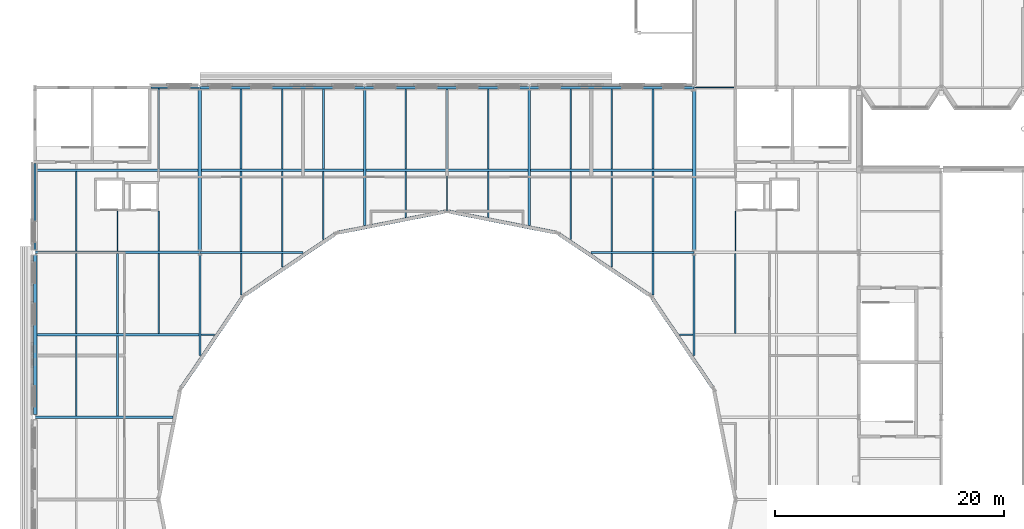
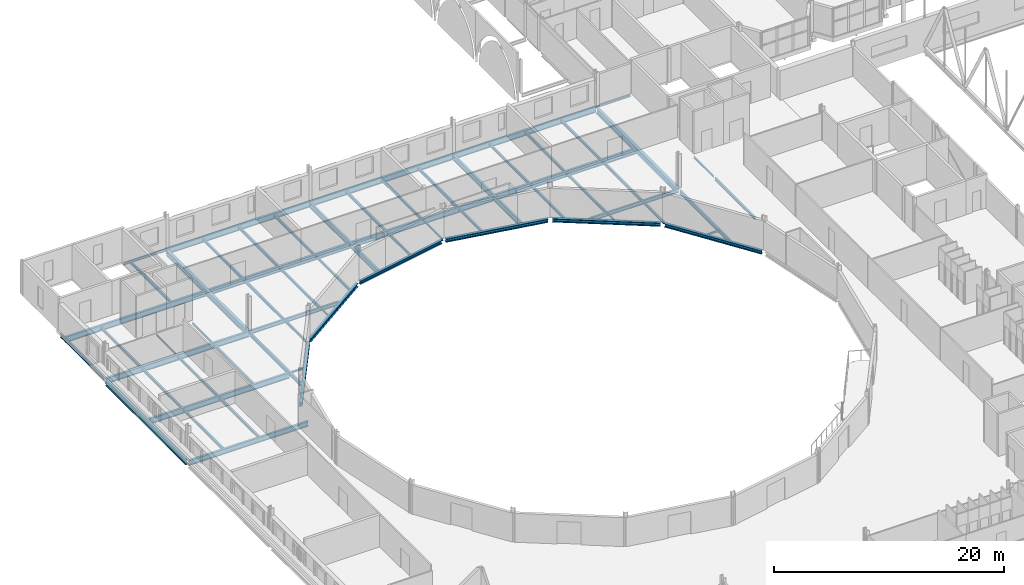
# One storey, part 42 of 142: 63 beams.
"""IFC4 building model written with IfcOpenShell, lengths in metres."""

from ifc_helpers import new_model, si_unit, direction, frame, origin, origin_2d, place, context, subcontext, project, spatial, i_section, extrude, material, material_profile, profile_set, type_object, element, save


model = new_model("IFC4")

# Units and contexts
model_context = context("Model", 3, precision=1e-05, world=origin(), true_north=direction((0.0, 1.0)))
body_context = subcontext(model_context, "Body", "Model", "MODEL_VIEW")
ifc_project = project(units=[si_unit("LENGTHUNIT", "METRE"), si_unit("AREAUNIT", "SQUARE_METRE"), si_unit("VOLUMEUNIT", "CUBIC_METRE"), si_unit("PLANEANGLEUNIT", "RADIAN"), si_unit("MASSUNIT", "GRAM", prefix="KILO")], contexts=[model_context])

# Site, building, storey
site_placement = place(None, origin())
site = spatial("IfcSite", under=ifc_project, at=site_placement, CompositionType="ELEMENT")
building_placement = place(site_placement, origin())
building = spatial("IfcBuilding", under=site, at=building_placement, Name="Kupolbacken Congress Centre", CompositionType="ELEMENT")
storey_placement = place(building_placement, frame((0.0, 0.0, 14.39990234375)))
storey = spatial("IfcBuildingStorey", under=building, at=storey_placement, Name="L04", CompositionType="ELEMENT", Elevation=14.39990234375)

# Beams
ifc_material_1 = material(Name="Steel S355", Category="steel")
ifc_material_profile_1 = material_profile(ifc_material_1, i_section(OverallWidth=0.10009765625, OverallDepth=0.199951171875, WebThickness=0.005615234375, FlangeThickness=0.008544921875, FilletRadius=0.011962890625, at=origin_2d()), Name="IPE 200")
ifc_profile_set_1 = profile_set([ifc_material_profile_1], Name="Steel S355")
beam_type_1 = type_object("IfcBeamType", Name="B01 beam IPE 200", PredefinedType="BEAM", material=ifc_profile_set_1)
beam_1_placement = place(storey_placement, frame((21.68994140625, 100.800048828125, -0.27978515625), z_axis=(1.0, 0.0, 0.0), x_axis=(0.0, 1.0, 0.0)))
element("IfcBeam", 1, at=beam_1_placement, inside=storey, type_object=beam_type_1, Name="S/floor/P/L04/R058", PredefinedType="BEAM", context=body_context, shape_type="SweptSolid", body=[
    extrude(i_section(OverallWidth=0.10009765625, OverallDepth=0.199951171875, WebThickness=0.005615234375, FlangeThickness=0.008544921875, FilletRadius=0.011962890625, at=origin_2d()), origin(), (0.0, 0.0, 1.0), 1.200927734375),
])
beam_2_placement = place(storey_placement, frame((63.50927734375, 100.800048828125, -0.27978515625), z_axis=(1.0, 0.0, 0.0), x_axis=(0.0, 1.0, 0.0)))
element("IfcBeam", 2, at=beam_2_placement, inside=storey, type_object=beam_type_1, Name="S/floor/P/L04/R059", PredefinedType="BEAM", context=body_context, shape_type="SweptSolid", body=[
    extrude(i_section(OverallWidth=0.10009765625, OverallDepth=0.199951171875, WebThickness=0.005615234375, FlangeThickness=0.008544921875, FilletRadius=0.011962890625, at=origin_2d()), origin(), (0.0, 0.0, 1.0), 1.20068359375),
])
beam_3_placement = place(storey_placement, frame((64.806884765625, 122.39990234375, -0.27978515625), z_axis=(1.0, 0.0, 0.0), x_axis=(0.0, 1.0, 0.0)))
element("IfcBeam", 3, at=beam_3_placement, inside=storey, type_object=beam_type_1, Name="S/floor/P/L04/R074", PredefinedType="BEAM", context=body_context, shape_type="SweptSolid", body=[
    extrude(i_section(OverallWidth=0.10009765625, OverallDepth=0.199951171875, WebThickness=0.005615234375, FlangeThickness=0.008544921875, FilletRadius=0.011962890625, at=origin_2d()), origin(), (0.0, 0.0, 1.0), 3.468017578125),
])
beam_4_placement = place(storey_placement, frame((14.39990234375, 108.110107421875, -0.27978515625), z_axis=(0.0, 1.0, 0.0), x_axis=(-1.0, 0.0, 0.0)))
element("IfcBeam", 4, at=beam_4_placement, inside=storey, type_object=beam_type_1, Name="S/floor/P/L04/S093", PredefinedType="BEAM", context=body_context, shape_type="SweptSolid", body=[
    extrude(i_section(OverallWidth=0.10009765625, OverallDepth=0.199951171875, WebThickness=0.005615234375, FlangeThickness=0.008544921875, FilletRadius=0.011962890625, at=origin_2d()), origin(), (0.0, 0.0, 1.0), 3.489990234375),
])
beam_5_placement = place(storey_placement, frame((28.800048828125, 106.709228515625, -0.27978515625), z_axis=(0.0, 1.0, 0.0), x_axis=(-1.0, 0.0, 0.0)))
element("IfcBeam", 5, at=beam_5_placement, inside=storey, type_object=beam_type_1, Name="S/floor/P/L04/S105", PredefinedType="BEAM", context=body_context, shape_type="SweptSolid", body=[
    extrude(i_section(OverallWidth=0.10009765625, OverallDepth=0.199951171875, WebThickness=0.005615234375, FlangeThickness=0.008544921875, FilletRadius=0.011962890625, at=origin_2d()), origin(), (0.0, 0.0, 1.0), 1.20068359375),
])
beam_6_placement = place(storey_placement, frame((43.199951171875, 111.606689453125, -0.27978515625), z_axis=(0.0, 1.0, 0.0), x_axis=(-1.0, 0.0, 0.0)))
element("IfcBeam", 6, at=beam_6_placement, inside=storey, type_object=beam_type_1, Name="S/floor/P/L04/S118", PredefinedType="BEAM", context=body_context, shape_type="SweptSolid", body=[
    extrude(i_section(OverallWidth=0.10009765625, OverallDepth=0.199951171875, WebThickness=0.005615234375, FlangeThickness=0.008544921875, FilletRadius=0.011962890625, at=origin_2d()), origin(), (0.0, 0.0, 1.0), 3.4833984375),
])
beam_7_placement = place(storey_placement, frame((57.60009765625, 106.709228515625, -0.27978515625), z_axis=(0.0, 1.0, 0.0), x_axis=(-1.0, 0.0, 0.0)))
element("IfcBeam", 7, at=beam_7_placement, inside=storey, type_object=beam_type_1, Name="S/floor/P/L04/S131", PredefinedType="BEAM", context=body_context, shape_type="SweptSolid", body=[
    extrude(i_section(OverallWidth=0.10009765625, OverallDepth=0.199951171875, WebThickness=0.005615234375, FlangeThickness=0.008544921875, FilletRadius=0.011962890625, at=origin_2d()), origin(), (0.0, 0.0, 1.0), 1.20068359375),
])
for number, where, z_axis, x_axis, name in (
    (8, (18.0, 108.110107421875, -0.27978515625), (0.0, 1.0, 0.0), (-1.0, 0.0, 0.0), "S/floor/P/L04/S170"),
    (9, (68.39990234375, 108.110107421875, -0.27978515625), (0.0, 1.0, 0.0), (-1.0, 0.0, 0.0), "S/floor/P/L04/S174"),
):
    element("IfcBeam", number, at=place(storey_placement, frame(where, z_axis=z_axis, x_axis=x_axis)), inside=storey, type_object=beam_type_1, Name=name, PredefinedType="BEAM", context=body_context, shape_type="SweptSolid", body=[
        extrude(i_section(OverallWidth=0.10009765625, OverallDepth=0.199951171875, WebThickness=0.005615234375, FlangeThickness=0.008544921875, FilletRadius=0.011962890625, at=origin_2d()), origin(), (0.0, 0.0, 1.0), 3.489990234375),
    ])
ifc_material_2 = material(Name="Steel S355", Category="steel")
ifc_material_profile_2 = material_profile(ifc_material_2, i_section(OverallWidth=0.135009765625, OverallDepth=0.27001953125, WebThickness=0.006591796875, FlangeThickness=0.01025390625, FilletRadius=0.014892578125, at=origin_2d()), Name="IPE 270")
ifc_profile_set_2 = profile_set([ifc_material_profile_2], Name="Steel S355")
beam_type_2 = type_object("IfcBeamType", Name="B03 beam IPE 270", PredefinedType="BEAM", material=ifc_profile_set_2)
beam_8_placement = place(storey_placement, frame((17.324951171875, 122.39990234375, -0.31494140625), z_axis=(1.0, 0.0, 0.0), x_axis=(0.0, 1.0, 0.0)))
element("IfcBeam", 10, at=beam_8_placement, inside=storey, type_object=beam_type_2, Name="S/floor/P/L04/R070", PredefinedType="BEAM", context=body_context, shape_type="SweptSolid", body=[
    extrude(i_section(OverallWidth=0.135009765625, OverallDepth=0.27001953125, WebThickness=0.006591796875, FlangeThickness=0.01025390625, FilletRadius=0.014892578125, at=origin_2d()), origin(), (0.0, 0.0, 1.0), 4.26806640625),
])
beam_9_placement = place(storey_placement, frame((25.199951171875, 104.271728515625, -0.31494140625), z_axis=(0.0, 1.0, 0.0), x_axis=(-1.0, 0.0, 0.0)))
element("IfcBeam", 11, at=beam_9_placement, inside=storey, type_object=beam_type_2, Name="S/floor/P/L04/S099", PredefinedType="BEAM", context=body_context, shape_type="SweptSolid", body=[
    extrude(i_section(OverallWidth=0.135009765625, OverallDepth=0.27001953125, WebThickness=0.006591796875, FlangeThickness=0.01025390625, FilletRadius=0.014892578125, at=origin_2d()), origin(), (0.0, 0.0, 1.0), 3.63818359375),
])
beam_10_placement = place(storey_placement, frame((32.39990234375, 109.150390625, -0.31494140625), z_axis=(0.0, 1.0, 0.0), x_axis=(-1.0, 0.0, 0.0)))
element("IfcBeam", 12, at=beam_10_placement, inside=storey, type_object=beam_type_2, Name="S/floor/P/L04/S110", PredefinedType="BEAM", context=body_context, shape_type="SweptSolid", body=[
    extrude(i_section(OverallWidth=0.135009765625, OverallDepth=0.27001953125, WebThickness=0.006591796875, FlangeThickness=0.01025390625, FilletRadius=0.014892578125, at=origin_2d()), origin(), (0.0, 0.0, 1.0), 5.939697265625),
])
for number, where, z_axis, x_axis, name in (
    (13, (39.60009765625, 111.057373046875, -0.31494140625), (0.0, 1.0, 0.0), (-1.0, 0.0, 0.0), "S/floor/P/L04/S114"),
    (14, (46.800048828125, 111.057373046875, -0.31494140625), (0.0, 1.0, 0.0), (-1.0, 0.0, 0.0), "S/floor/P/L04/S122"),
):
    element("IfcBeam", number, at=place(storey_placement, frame(where, z_axis=z_axis, x_axis=x_axis)), inside=storey, type_object=beam_type_2, Name=name, PredefinedType="BEAM", context=body_context, shape_type="SweptSolid", body=[
        extrude(i_section(OverallWidth=0.135009765625, OverallDepth=0.27001953125, WebThickness=0.006591796875, FlangeThickness=0.01025390625, FilletRadius=0.014892578125, at=origin_2d()), origin(), (0.0, 0.0, 1.0), 4.03271484375),
    ])
beam_11_placement = place(storey_placement, frame((54.0, 109.150390625, -0.31494140625), z_axis=(0.0, 1.0, 0.0), x_axis=(-1.0, 0.0, 0.0)))
element("IfcBeam", 15, at=beam_11_placement, inside=storey, type_object=beam_type_2, Name="S/floor/P/L04/S126", PredefinedType="BEAM", context=body_context, shape_type="SweptSolid", body=[
    extrude(i_section(OverallWidth=0.135009765625, OverallDepth=0.27001953125, WebThickness=0.006591796875, FlangeThickness=0.01025390625, FilletRadius=0.014892578125, at=origin_2d()), origin(), (0.0, 0.0, 1.0), 5.939697265625),
])
beam_12_placement = place(storey_placement, frame((61.199951171875, 104.271728515625, -0.31494140625), z_axis=(0.0, 1.0, 0.0), x_axis=(-1.0, 0.0, 0.0)))
element("IfcBeam", 16, at=beam_12_placement, inside=storey, type_object=beam_type_2, Name="S/floor/P/L04/S137", PredefinedType="BEAM", context=body_context, shape_type="SweptSolid", body=[
    extrude(i_section(OverallWidth=0.135009765625, OverallDepth=0.27001953125, WebThickness=0.006591796875, FlangeThickness=0.01025390625, FilletRadius=0.014892578125, at=origin_2d()), origin(), (0.0, 0.0, 1.0), 3.63818359375),
])
ifc_material_3 = material(Name="Steel S355", Category="steel")
ifc_material_profile_3 = material_profile(ifc_material_3, i_section(OverallWidth=0.14990234375, OverallDepth=0.300048828125, WebThickness=0.007080078125, FlangeThickness=0.0107421875, FilletRadius=0.014892578125, at=origin_2d()), Name="IPE 300")
ifc_profile_set_3 = profile_set([ifc_material_profile_3], Name="Steel S355")
beam_type_3 = type_object("IfcBeamType", Name="B04 beam IPE 300", PredefinedType="BEAM", material=ifc_profile_set_3)
beam_13_placement = place(storey_placement, frame((10.800048828125, 93.705078125, -0.329833984375), z_axis=(0.0, 1.0, 0.0), x_axis=(-1.0, 0.0, 0.0)))
element("IfcBeam", 17, at=beam_13_placement, inside=storey, type_object=beam_type_3, Name="S/floor/P/L04/S081", PredefinedType="BEAM", context=body_context, shape_type="SweptSolid", body=[
    extrude(i_section(OverallWidth=0.14990234375, OverallDepth=0.300048828125, WebThickness=0.007080078125, FlangeThickness=0.0107421875, FilletRadius=0.014892578125, at=origin_2d()), origin(), (0.0, 0.0, 1.0), 6.98486328125),
])
for number, where, z_axis, x_axis, name in (
    (18, (10.800048828125, 100.909912109375, -0.329833984375), (0.0, 1.0, 0.0), (-1.0, 0.0, 0.0), "S/floor/P/L04/S082"),
    (19, (10.800048828125, 108.110107421875, -0.329833984375), (0.0, 1.0, 0.0), (-1.0, 0.0, 0.0), "S/floor/P/L04/S083"),
):
    element("IfcBeam", number, at=place(storey_placement, frame(where, z_axis=z_axis, x_axis=x_axis)), inside=storey, type_object=beam_type_3, Name=name, PredefinedType="BEAM", context=body_context, shape_type="SweptSolid", body=[
        extrude(i_section(OverallWidth=0.14990234375, OverallDepth=0.300048828125, WebThickness=0.007080078125, FlangeThickness=0.0107421875, FilletRadius=0.014892578125, at=origin_2d()), origin(), (0.0, 0.0, 1.0), 6.97998046875),
    ])
beam_14_placement = place(storey_placement, frame((14.39990234375, 93.705078125, -0.329833984375), z_axis=(0.0, 1.0, 0.0), x_axis=(-1.0, 0.0, 0.0)))
element("IfcBeam", 20, at=beam_14_placement, inside=storey, type_object=beam_type_3, Name="S/floor/P/L04/S091", PredefinedType="BEAM", context=body_context, shape_type="SweptSolid", body=[
    extrude(i_section(OverallWidth=0.14990234375, OverallDepth=0.300048828125, WebThickness=0.007080078125, FlangeThickness=0.0107421875, FilletRadius=0.014892578125, at=origin_2d()), origin(), (0.0, 0.0, 1.0), 6.98486328125),
])
beam_15_placement = place(storey_placement, frame((14.39990234375, 100.909912109375, -0.329833984375), z_axis=(0.0, 1.0, 0.0), x_axis=(-1.0, 0.0, 0.0)))
element("IfcBeam", 21, at=beam_15_placement, inside=storey, type_object=beam_type_3, Name="S/floor/P/L04/S092", PredefinedType="BEAM", context=body_context, shape_type="SweptSolid", body=[
    extrude(i_section(OverallWidth=0.14990234375, OverallDepth=0.300048828125, WebThickness=0.007080078125, FlangeThickness=0.0107421875, FilletRadius=0.014892578125, at=origin_2d()), origin(), (0.0, 0.0, 1.0), 6.97998046875),
])
beam_16_placement = place(storey_placement, frame((25.199951171875, 108.090087890625, -0.329833984375), z_axis=(0.0, 1.0, 0.0), x_axis=(-1.0, 0.0, 0.0)))
element("IfcBeam", 22, at=beam_16_placement, inside=storey, type_object=beam_type_3, Name="S/floor/P/L04/S100", PredefinedType="BEAM", context=body_context, shape_type="SweptSolid", body=[
    extrude(i_section(OverallWidth=0.14990234375, OverallDepth=0.300048828125, WebThickness=0.007080078125, FlangeThickness=0.0107421875, FilletRadius=0.014892578125, at=origin_2d()), origin(), (0.0, 0.0, 1.0), 7.0),
])
beam_17_placement = place(storey_placement, frame((25.199951171875, 115.31005859375, -0.329833984375), z_axis=(0.0, 1.0, 0.0), x_axis=(-1.0, 0.0, 0.0)))
element("IfcBeam", 23, at=beam_17_placement, inside=storey, type_object=beam_type_3, Name="S/floor/P/L04/S101", PredefinedType="BEAM", context=body_context, shape_type="SweptSolid", body=[
    extrude(i_section(OverallWidth=0.14990234375, OverallDepth=0.300048828125, WebThickness=0.007080078125, FlangeThickness=0.0107421875, FilletRadius=0.014892578125, at=origin_2d()), origin(), (0.0, 0.0, 1.0), 6.97998046875),
])
beam_18_placement = place(storey_placement, frame((28.800048828125, 108.090087890625, -0.329833984375), z_axis=(0.0, 1.0, 0.0), x_axis=(-1.0, 0.0, 0.0)))
element("IfcBeam", 24, at=beam_18_placement, inside=storey, type_object=beam_type_3, Name="S/floor/P/L04/S106", PredefinedType="BEAM", context=body_context, shape_type="SweptSolid", body=[
    extrude(i_section(OverallWidth=0.14990234375, OverallDepth=0.300048828125, WebThickness=0.007080078125, FlangeThickness=0.0107421875, FilletRadius=0.014892578125, at=origin_2d()), origin(), (0.0, 0.0, 1.0), 7.0),
])
for number, where, z_axis, x_axis, name in (
    (25, (28.800048828125, 115.31005859375, -0.329833984375), (0.0, 1.0, 0.0), (-1.0, 0.0, 0.0), "S/floor/P/L04/S107"),
    (26, (32.39990234375, 115.31005859375, -0.329833984375), (0.0, 1.0, 0.0), (-1.0, 0.0, 0.0), "S/floor/P/L04/S111"),
    (27, (39.60009765625, 115.31005859375, -0.329833984375), (0.0, 1.0, 0.0), (-1.0, 0.0, 0.0), "S/floor/P/L04/S115"),
    (28, (43.199951171875, 115.31005859375, -0.329833984375), (0.0, 1.0, 0.0), (-1.0, 0.0, 0.0), "S/floor/P/L04/S119"),
    (29, (46.800048828125, 115.31005859375, -0.329833984375), (0.0, 1.0, 0.0), (-1.0, 0.0, 0.0), "S/floor/P/L04/S123"),
    (30, (54.0, 115.31005859375, -0.329833984375), (0.0, 1.0, 0.0), (-1.0, 0.0, 0.0), "S/floor/P/L04/S127"),
):
    element("IfcBeam", number, at=place(storey_placement, frame(where, z_axis=z_axis, x_axis=x_axis)), inside=storey, type_object=beam_type_3, Name=name, PredefinedType="BEAM", context=body_context, shape_type="SweptSolid", body=[
        extrude(i_section(OverallWidth=0.14990234375, OverallDepth=0.300048828125, WebThickness=0.007080078125, FlangeThickness=0.0107421875, FilletRadius=0.014892578125, at=origin_2d()), origin(), (0.0, 0.0, 1.0), 6.97998046875),
    ])
beam_19_placement = place(storey_placement, frame((57.60009765625, 108.090087890625, -0.329833984375), z_axis=(0.0, 1.0, 0.0), x_axis=(-1.0, 0.0, 0.0)))
element("IfcBeam", 31, at=beam_19_placement, inside=storey, type_object=beam_type_3, Name="S/floor/P/L04/S132", PredefinedType="BEAM", context=body_context, shape_type="SweptSolid", body=[
    extrude(i_section(OverallWidth=0.14990234375, OverallDepth=0.300048828125, WebThickness=0.007080078125, FlangeThickness=0.0107421875, FilletRadius=0.014892578125, at=origin_2d()), origin(), (0.0, 0.0, 1.0), 7.0),
])
beam_20_placement = place(storey_placement, frame((57.60009765625, 115.31005859375, -0.329833984375), z_axis=(0.0, 1.0, 0.0), x_axis=(-1.0, 0.0, 0.0)))
element("IfcBeam", 32, at=beam_20_placement, inside=storey, type_object=beam_type_3, Name="S/floor/P/L04/S133", PredefinedType="BEAM", context=body_context, shape_type="SweptSolid", body=[
    extrude(i_section(OverallWidth=0.14990234375, OverallDepth=0.300048828125, WebThickness=0.007080078125, FlangeThickness=0.0107421875, FilletRadius=0.014892578125, at=origin_2d()), origin(), (0.0, 0.0, 1.0), 6.97998046875),
])
beam_21_placement = place(storey_placement, frame((61.199951171875, 108.090087890625, -0.329833984375), z_axis=(0.0, 1.0, 0.0), x_axis=(-1.0, 0.0, 0.0)))
element("IfcBeam", 33, at=beam_21_placement, inside=storey, type_object=beam_type_3, Name="S/floor/P/L04/S138", PredefinedType="BEAM", context=body_context, shape_type="SweptSolid", body=[
    extrude(i_section(OverallWidth=0.14990234375, OverallDepth=0.300048828125, WebThickness=0.007080078125, FlangeThickness=0.0107421875, FilletRadius=0.014892578125, at=origin_2d()), origin(), (0.0, 0.0, 1.0), 7.0),
])
for number, where, z_axis, x_axis, name in (
    (34, (61.199951171875, 115.31005859375, -0.329833984375), (0.0, 1.0, 0.0), (-1.0, 0.0, 0.0), "S/floor/P/L04/S139"),
    (35, (18.0, 100.909912109375, -0.329833984375), (0.0, 1.0, 0.0), (-1.0, 0.0, 0.0), "S/floor/P/L04/S169"),
):
    element("IfcBeam", number, at=place(storey_placement, frame(where, z_axis=z_axis, x_axis=x_axis)), inside=storey, type_object=beam_type_3, Name=name, PredefinedType="BEAM", context=body_context, shape_type="SweptSolid", body=[
        extrude(i_section(OverallWidth=0.14990234375, OverallDepth=0.300048828125, WebThickness=0.007080078125, FlangeThickness=0.0107421875, FilletRadius=0.014892578125, at=origin_2d()), origin(), (0.0, 0.0, 1.0), 6.97998046875),
    ])
beam_22_placement = place(storey_placement, frame((18.0, 115.31005859375, -0.329833984375), z_axis=(0.0, 1.0, 0.0), x_axis=(-1.0, 0.0, 0.0)))
element("IfcBeam", 36, at=beam_22_placement, inside=storey, type_object=beam_type_3, Name="S/floor/P/L04/S172", PredefinedType="BEAM", context=body_context, shape_type="SweptSolid", body=[
    extrude(i_section(OverallWidth=0.14990234375, OverallDepth=0.300048828125, WebThickness=0.007080078125, FlangeThickness=0.0107421875, FilletRadius=0.014892578125, at=origin_2d()), origin(), (0.0, 0.0, 1.0), 7.0224609375),
])
beam_23_placement = place(storey_placement, frame((68.39990234375, 100.909912109375, -0.329833984375), z_axis=(0.0, 1.0, 0.0), x_axis=(-1.0, 0.0, 0.0)))
element("IfcBeam", 37, at=beam_23_placement, inside=storey, type_object=beam_type_3, Name="S/floor/P/L04/S173", PredefinedType="BEAM", context=body_context, shape_type="SweptSolid", body=[
    extrude(i_section(OverallWidth=0.14990234375, OverallDepth=0.300048828125, WebThickness=0.007080078125, FlangeThickness=0.0107421875, FilletRadius=0.014892578125, at=origin_2d()), origin(), (0.0, 0.0, 1.0), 6.97998046875),
])
ifc_material_4 = material(Name="Steel S355", Category="steel")
ifc_material_profile_4 = material_profile(ifc_material_4, i_section(OverallWidth=0.159912109375, OverallDepth=0.330078125, WebThickness=0.007568359375, FlangeThickness=0.011474609375, FilletRadius=0.01806640625, at=origin_2d()), Name="IPE 330")
ifc_profile_set_4 = profile_set([ifc_material_profile_4], Name="Steel S355")
beam_type_4 = type_object("IfcBeamType", Name="B05 beam IPE 330", PredefinedType="BEAM", material=ifc_profile_set_4)
beam_24_placement = place(storey_placement, frame((7.199951171875, 108.22509765625, -0.344970703125), z_axis=(0.0, 1.0, 0.0), x_axis=(-1.0, 0.0, 0.0)))
element("IfcBeam", 38, at=beam_24_placement, inside=storey, type_object=beam_type_4, Name="S/floor/P/L04/G021", PredefinedType="BEAM", context=body_context, shape_type="SweptSolid", body=[
    extrude(i_section(OverallWidth=0.159912109375, OverallDepth=0.330078125, WebThickness=0.007568359375, FlangeThickness=0.011474609375, FilletRadius=0.01806640625, at=origin_2d()), origin(), (0.0, 0.0, 1.0), 7.5498046875),
])
ifc_material_5 = material(Name="Steel S355", Category="steel")
ifc_material_profile_5 = material_profile(ifc_material_5, i_section(OverallWidth=0.179931640625, OverallDepth=0.39990234375, WebThickness=0.008544921875, FlangeThickness=0.013427734375, FilletRadius=0.02099609375, at=origin_2d()), Name="IPE 400")
ifc_profile_set_5 = profile_set([ifc_material_profile_5], Name="Steel S355")
beam_type_5 = type_object("IfcBeamType", Name="B07 beam IPE 400", PredefinedType="BEAM", material=ifc_profile_set_5)
for number, where, z_axis, x_axis, name in (
    (39, (21.60009765625, 98.970703125, -0.3798828125), (0.0, 1.0, 0.0), (-1.0, 0.0, 0.0), "S/floor/P/L04/G023"),
    (40, (64.800048828125, 98.970703125, -0.3798828125), (0.0, 1.0, 0.0), (-1.0, 0.0, 0.0), "S/floor/P/L04/G030"),
):
    element("IfcBeam", number, at=place(storey_placement, frame(where, z_axis=z_axis, x_axis=x_axis)), inside=storey, type_object=beam_type_5, Name=name, PredefinedType="BEAM", context=body_context, shape_type="SweptSolid", body=[
        extrude(i_section(OverallWidth=0.179931640625, OverallDepth=0.39990234375, WebThickness=0.008544921875, FlangeThickness=0.013427734375, FilletRadius=0.02099609375, at=origin_2d()), origin(), (0.0, 0.0, 1.0), 8.80419921875),
    ])
for number, where, z_axis, x_axis, name in (
    (41, (21.60693359375, 108.0, -0.3798828125), (1.0, 0.0, 0.0), (0.0, 1.0, 0.0), "S/floor/P/L04/R062"),
    (42, (55.7705078125, 108.0, -0.3798828125), (1.0, 0.0, 0.0), (0.0, 1.0, 0.0), "S/floor/P/L04/R063"),
):
    element("IfcBeam", number, at=place(storey_placement, frame(where, z_axis=z_axis, x_axis=x_axis)), inside=storey, type_object=beam_type_5, Name=name, PredefinedType="BEAM", context=body_context, shape_type="SweptSolid", body=[
        extrude(i_section(OverallWidth=0.179931640625, OverallDepth=0.39990234375, WebThickness=0.008544921875, FlangeThickness=0.013427734375, FilletRadius=0.02099609375, at=origin_2d()), origin(), (0.0, 0.0, 1.0), 9.0224609375),
    ])
ifc_material_6 = material(Name="Steel S355", Category="steel")
ifc_material_profile_6 = material_profile(ifc_material_6, i_section(OverallWidth=0.2099609375, OverallDepth=0.550048828125, WebThickness=0.010986328125, FlangeThickness=0.01708984375, FilletRadius=0.02392578125, at=origin_2d()), Name="IPE 550")
ifc_profile_set_6 = profile_set([ifc_material_profile_6], Name="Steel S355")
beam_type_6 = type_object("IfcBeamType", Name="B10 beam IPE 550", PredefinedType="BEAM", material=ifc_profile_set_6)
for number, where, z_axis, x_axis, name in (
    (43, (36.0, 110.35595703125, -0.454833984375), (0.0, 1.0, 0.0), (-1.0, 0.0, 0.0), "S/floor/P/L04/G026"),
    (44, (50.39990234375, 110.35595703125, -0.454833984375), (0.0, 1.0, 0.0), (-1.0, 0.0, 0.0), "S/floor/P/L04/G028"),
):
    element("IfcBeam", number, at=place(storey_placement, frame(where, z_axis=z_axis, x_axis=x_axis)), inside=storey, type_object=beam_type_6, Name=name, PredefinedType="BEAM", context=body_context, shape_type="SweptSolid", body=[
        extrude(i_section(OverallWidth=0.2099609375, OverallDepth=0.550048828125, WebThickness=0.010986328125, FlangeThickness=0.01708984375, FilletRadius=0.02392578125, at=origin_2d()), origin(), (0.0, 0.0, 1.0), 11.819091796875),
    ])
beam_25_placement = place(storey_placement, frame((7.20703125, 93.60009765625, -0.454833984375), z_axis=(1.0, 0.0, 0.0), x_axis=(0.0, 1.0, 0.0)))
element("IfcBeam", 45, at=beam_25_placement, inside=storey, type_object=beam_type_6, Name="S/floor/P/L04/R055", PredefinedType="BEAM", context=body_context, shape_type="SweptSolid", body=[
    extrude(i_section(OverallWidth=0.2099609375, OverallDepth=0.550048828125, WebThickness=0.010986328125, FlangeThickness=0.01708984375, FilletRadius=0.02392578125, at=origin_2d()), origin(), (0.0, 0.0, 1.0), 12.037109375),
])
ifc_material_7 = material(Name="Steel S355", Category="steel")
ifc_material_profile_7 = material_profile(ifc_material_7, i_section(OverallWidth=0.219970703125, OverallDepth=0.60009765625, WebThickness=0.011962890625, FlangeThickness=0.01904296875, FilletRadius=0.02392578125, at=origin_2d()), Name="IPE 600")
ifc_profile_set_7 = profile_set([ifc_material_profile_7], Name="Steel S355")
beam_type_7 = type_object("IfcBeamType", Name="B11 beam IPE 600", PredefinedType="BEAM", material=ifc_profile_set_7)
beam_26_placement = place(storey_placement, frame((7.35009765625, 100.800048828125, -0.47998046875), z_axis=(1.0, 0.0, 0.0), x_axis=(0.0, 1.0, 0.0)))
element("IfcBeam", 46, at=beam_26_placement, inside=storey, type_object=beam_type_7, Name="S/floor/P/L04/R057", PredefinedType="BEAM", context=body_context, shape_type="SweptSolid", body=[
    extrude(i_section(OverallWidth=0.219970703125, OverallDepth=0.60009765625, WebThickness=0.011962890625, FlangeThickness=0.01904296875, FilletRadius=0.02392578125, at=origin_2d()), origin(), (0.0, 0.0, 1.0), 14.159912109375),
])
beam_27_placement = place(storey_placement, frame((7.20703125, 108.0, -0.47998046875), z_axis=(1.0, 0.0, 0.0), x_axis=(0.0, 1.0, 0.0)))
element("IfcBeam", 47, at=beam_27_placement, inside=storey, type_object=beam_type_7, Name="S/floor/P/L04/R061", PredefinedType="BEAM", context=body_context, shape_type="SweptSolid", body=[
    extrude(i_section(OverallWidth=0.219970703125, OverallDepth=0.60009765625, WebThickness=0.011962890625, FlangeThickness=0.01904296875, FilletRadius=0.02392578125, at=origin_2d()), origin(), (0.0, 0.0, 1.0), 14.385986328125),
])
beam_28_placement = place(storey_placement, frame((7.280029296875, 115.199951171875, -0.47998046875), z_axis=(1.0, 0.0, 0.0), x_axis=(0.0, 1.0, 0.0)))
element("IfcBeam", 48, at=beam_28_placement, inside=storey, type_object=beam_type_7, Name="S/floor/P/L04/R065", PredefinedType="BEAM", context=body_context, shape_type="SweptSolid", body=[
    extrude(i_section(OverallWidth=0.219970703125, OverallDepth=0.60009765625, WebThickness=0.011962890625, FlangeThickness=0.01904296875, FilletRadius=0.02392578125, at=origin_2d()), origin(), (0.0, 0.0, 1.0), 14.169921875),
])
beam_29_placement = place(storey_placement, frame((21.75, 115.199951171875, -0.47998046875), z_axis=(1.0, 0.0, 0.0), x_axis=(0.0, 1.0, 0.0)))
element("IfcBeam", 49, at=beam_29_placement, inside=storey, type_object=beam_type_7, Name="S/floor/P/L04/R066", PredefinedType="BEAM", context=body_context, shape_type="SweptSolid", body=[
    extrude(i_section(OverallWidth=0.219970703125, OverallDepth=0.60009765625, WebThickness=0.011962890625, FlangeThickness=0.01904296875, FilletRadius=0.02392578125, at=origin_2d()), origin(), (0.0, 0.0, 1.0), 14.14501953125),
])
beam_30_placement = place(storey_placement, frame((36.10498046875, 115.199951171875, -0.47998046875), z_axis=(1.0, 0.0, 0.0), x_axis=(0.0, 1.0, 0.0)))
element("IfcBeam", 50, at=beam_30_placement, inside=storey, type_object=beam_type_7, Name="S/floor/P/L04/R067", PredefinedType="BEAM", context=body_context, shape_type="SweptSolid", body=[
    extrude(i_section(OverallWidth=0.219970703125, OverallDepth=0.60009765625, WebThickness=0.011962890625, FlangeThickness=0.01904296875, FilletRadius=0.02392578125, at=origin_2d()), origin(), (0.0, 0.0, 1.0), 14.18994140625),
])
beam_31_placement = place(storey_placement, frame((50.5048828125, 115.199951171875, -0.47998046875), z_axis=(1.0, 0.0, 0.0), x_axis=(0.0, 1.0, 0.0)))
element("IfcBeam", 51, at=beam_31_placement, inside=storey, type_object=beam_type_7, Name="S/floor/P/L04/R068", PredefinedType="BEAM", context=body_context, shape_type="SweptSolid", body=[
    extrude(i_section(OverallWidth=0.219970703125, OverallDepth=0.60009765625, WebThickness=0.011962890625, FlangeThickness=0.01904296875, FilletRadius=0.02392578125, at=origin_2d()), origin(), (0.0, 0.0, 1.0), 14.14501953125),
])
for number, where, z_axis, x_axis, name in (
    (52, (21.60693359375, 122.39990234375, -0.47998046875), (1.0, 0.0, 0.0), (0.0, 1.0, 0.0), "S/floor/P/L04/R071"),
    (53, (36.007080078125, 122.39990234375, -0.47998046875), (1.0, 0.0, 0.0), (0.0, 1.0, 0.0), "S/floor/P/L04/R072"),
    (54, (50.406982421875, 122.39990234375, -0.47998046875), (1.0, 0.0, 0.0), (0.0, 1.0, 0.0), "S/floor/P/L04/R073"),
):
    element("IfcBeam", number, at=place(storey_placement, frame(where, z_axis=z_axis, x_axis=x_axis)), inside=storey, type_object=beam_type_7, Name=name, PredefinedType="BEAM", context=body_context, shape_type="SweptSolid", body=[
        extrude(i_section(OverallWidth=0.219970703125, OverallDepth=0.60009765625, WebThickness=0.011962890625, FlangeThickness=0.01904296875, FilletRadius=0.02392578125, at=origin_2d()), origin(), (0.0, 0.0, 1.0), 14.385986328125),
    ])
ifc_material_8 = material(Name="Steel S355", Category="steel")
ifc_material_profile_8 = material_profile(ifc_material_8, i_section(OverallWidth=0.300048828125, OverallDepth=0.35009765625, WebThickness=0.010009765625, FlangeThickness=0.017578125, FilletRadius=0.027099609375, at=origin_2d()), Name="HEA 360")
ifc_profile_set_8 = profile_set([ifc_material_profile_8], Name="Steel S355")
beam_type_8 = type_object("IfcBeamType", Name="B13 beam HEA 360", PredefinedType="BEAM", material=ifc_profile_set_8)
beam_32_placement = place(storey_placement, frame((66.3857421875, 96.21923828125, -0.35498046875), z_axis=(-0.559384311532, 0.828908434034, 0.0), x_axis=(-0.828908434034, -0.559384311532, 0.0)))
element("IfcBeam", 55, at=beam_32_placement, inside=storey, type_object=beam_type_8, Name="S/floor/P/L04/C002", PredefinedType="BEAM", context=body_context, shape_type="SweptSolid", body=[
    extrude(i_section(OverallWidth=0.300048828125, OverallDepth=0.35009765625, WebThickness=0.010009765625, FlangeThickness=0.017578125, FilletRadius=0.027099609375, at=origin_2d()), origin(), (0.0, 0.0, 1.0), 9.424072265625),
])
beam_33_placement = place(storey_placement, frame((60.8310546875, 104.31396484375, -0.35498046875), z_axis=(-0.828896422049, 0.559402110752, 0.0), x_axis=(-0.559402110752, -0.828896422049, 0.0)))
element("IfcBeam", 56, at=beam_33_placement, inside=storey, type_object=beam_type_8, Name="S/floor/P/L04/C003", PredefinedType="BEAM", context=body_context, shape_type="SweptSolid", body=[
    extrude(i_section(OverallWidth=0.300048828125, OverallDepth=0.35009765625, WebThickness=0.010009765625, FlangeThickness=0.017578125, FilletRadius=0.027099609375, at=origin_2d()), origin(), (0.0, 0.0, 1.0), 9.42431640625),
])
beam_34_placement = place(storey_placement, frame((52.64990234375, 109.739501953125, -0.35498046875), z_axis=(-0.981166868204, 0.193162047876, 0.0), x_axis=(-0.193162047876, -0.981166868204, 0.0)))
element("IfcBeam", 57, at=beam_34_placement, inside=storey, type_object=beam_type_8, Name="S/floor/P/L04/C004", PredefinedType="BEAM", context=body_context, shape_type="SweptSolid", body=[
    extrude(i_section(OverallWidth=0.300048828125, OverallDepth=0.35009765625, WebThickness=0.010009765625, FlangeThickness=0.017578125, FilletRadius=0.027099609375, at=origin_2d()), origin(), (0.0, 0.0, 1.0), 9.427490234375),
])
beam_35_placement = place(storey_placement, frame((43.0, 111.560546875, -0.35498046875), z_axis=(-0.981165901927, -0.193166956013, 0.0), x_axis=(0.193166956013, -0.981165901927, 0.0)))
element("IfcBeam", 58, at=beam_35_placement, inside=storey, type_object=beam_type_8, Name="S/floor/P/L04/C005", PredefinedType="BEAM", context=body_context, shape_type="SweptSolid", body=[
    extrude(i_section(OverallWidth=0.300048828125, OverallDepth=0.35009765625, WebThickness=0.010009765625, FlangeThickness=0.017578125, FilletRadius=0.027099609375, at=origin_2d()), origin(), (0.0, 0.0, 1.0), 9.42724609375),
])
beam_36_placement = place(storey_placement, frame((33.380859375, 109.5859375, -0.35498046875), z_axis=(-0.828904528397, -0.55939009895, 0.0), x_axis=(0.55939009895, -0.828904528397, 0.0)))
element("IfcBeam", 59, at=beam_36_placement, inside=storey, type_object=beam_type_8, Name="S/floor/P/L04/C006", PredefinedType="BEAM", context=body_context, shape_type="SweptSolid", body=[
    extrude(i_section(OverallWidth=0.300048828125, OverallDepth=0.35009765625, WebThickness=0.010009765625, FlangeThickness=0.017578125, FilletRadius=0.027099609375, at=origin_2d()), origin(), (0.0, 0.0, 1.0), 9.424560546875),
])
beam_37_placement = place(storey_placement, frame((25.2861328125, 104.031005859375, -0.35498046875), z_axis=(-0.559402110752, -0.828896422049, 0.0), x_axis=(0.828896422049, -0.559402110752, 0.0)))
element("IfcBeam", 60, at=beam_37_placement, inside=storey, type_object=beam_type_8, Name="S/floor/P/L04/C007", PredefinedType="BEAM", context=body_context, shape_type="SweptSolid", body=[
    extrude(i_section(OverallWidth=0.300048828125, OverallDepth=0.35009765625, WebThickness=0.010009765625, FlangeThickness=0.017578125, FilletRadius=0.027099609375, at=origin_2d()), origin(), (0.0, 0.0, 1.0), 9.42431640625),
])
ifc_material_9 = material(Name="Steel S355", Category="steel")
ifc_material_profile_9 = material_profile(ifc_material_9, i_section(OverallWidth=0.300048828125, OverallDepth=0.60009765625, WebThickness=0.015380859375, FlangeThickness=0.030029296875, FilletRadius=0.027099609375, at=origin_2d()), Name="HEB 600")
ifc_profile_set_9 = profile_set([ifc_material_profile_9], Name="Steel S355")
beam_type_9 = type_object("IfcBeamType", Name="B15 beam HEB 600", PredefinedType="BEAM", material=ifc_profile_set_9)
for number, where, z_axis, x_axis, name in (
    (61, (7.199951171875, 93.824951171875, -0.47998046875), (0.0, 1.0, 0.0), (-1.0, 0.0, 0.0), "S/floor/P/L04/G020"),
    (62, (21.60009765625, 108.22509765625, -0.47998046875), (0.0, 1.0, 0.0), (-1.0, 0.0, 0.0), "S/floor/P/L04/G024"),
    (63, (64.800048828125, 108.22509765625, -0.47998046875), (0.0, 1.0, 0.0), (-1.0, 0.0, 0.0), "S/floor/P/L04/G031"),
):
    element("IfcBeam", number, at=place(storey_placement, frame(where, z_axis=z_axis, x_axis=x_axis)), inside=storey, type_object=beam_type_9, Name=name, PredefinedType="BEAM", context=body_context, shape_type="SweptSolid", body=[
        extrude(i_section(OverallWidth=0.300048828125, OverallDepth=0.60009765625, WebThickness=0.015380859375, FlangeThickness=0.030029296875, FilletRadius=0.027099609375, at=origin_2d()), origin(), (0.0, 0.0, 1.0), 13.949951171875),
    ])

save(model, "model.ifc")
